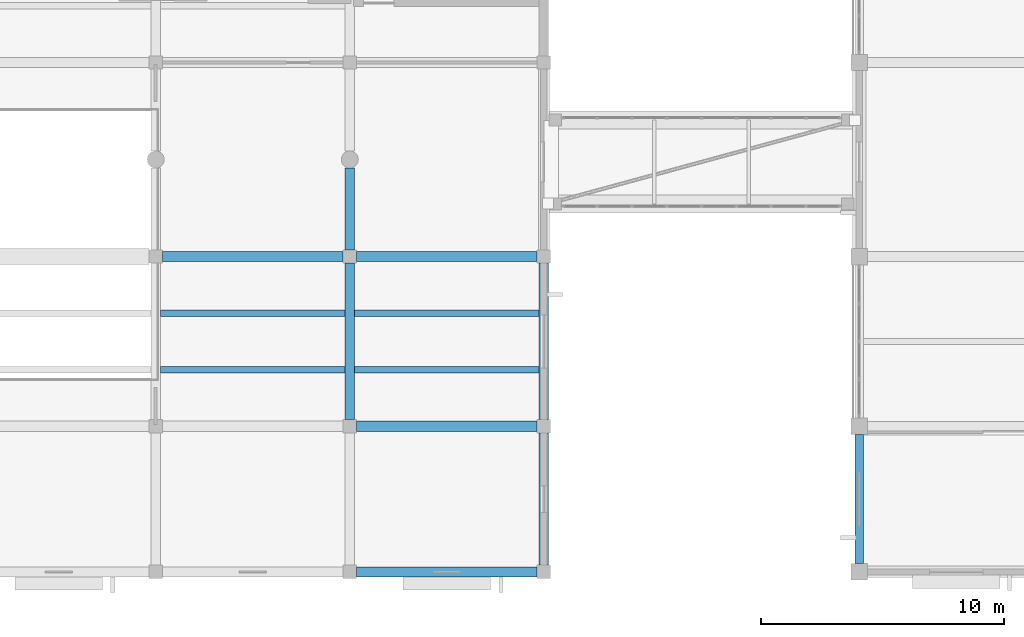
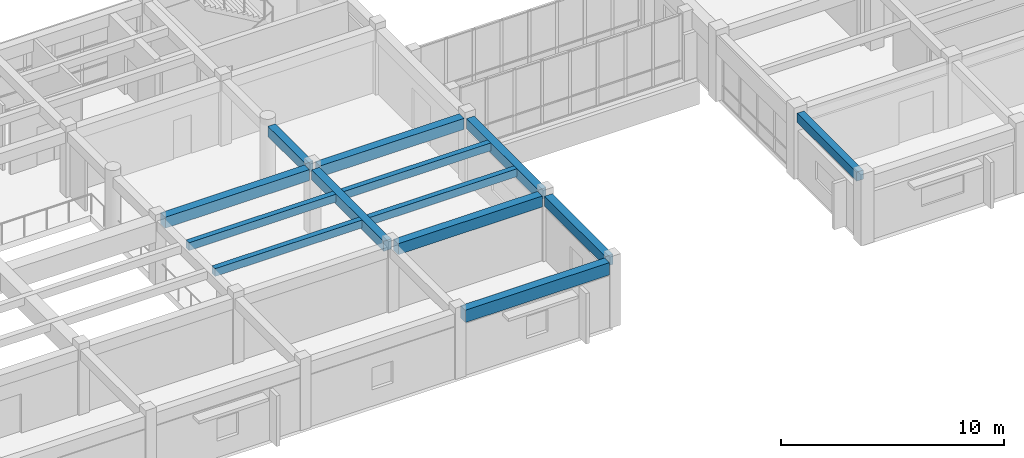
# One storey, part 19 of 66: 13 beams.
"""IFC4 building model written with IfcOpenShell, lengths in metres."""

from ifc_helpers import new_model, si_unit, direction, frame, origin, origin_2d, place, context, subcontext, project, spatial, rectangle, extrude, material, material_profile, profile_set, type_object, element, save


model = new_model("IFC4")

# Units and contexts
model_context = context("Model", 3, precision=1e-05, world=origin(), true_north=direction((0.0, 1.0)))
body_context = subcontext(model_context, "Body", "Model", "MODEL_VIEW")
ifc_project = project(units=[si_unit("LENGTHUNIT", "METRE"), si_unit("AREAUNIT", "SQUARE_METRE"), si_unit("VOLUMEUNIT", "CUBIC_METRE"), si_unit("PLANEANGLEUNIT", "RADIAN"), si_unit("MASSUNIT", "GRAM", prefix="KILO")], contexts=[model_context])

# Site, building, storey
site_placement = place(None, origin())
site = spatial("IfcSite", under=ifc_project, at=site_placement, CompositionType="ELEMENT")
building_placement = place(site_placement, origin())
building = spatial("IfcBuilding", under=site, at=building_placement, Name="Naurynzar Civic Courthouse", CompositionType="ELEMENT")
storey_placement = place(building_placement, frame((0.0, 0.0, 14.39990234375)))
storey = spatial("IfcBuildingStorey", under=building, at=storey_placement, Name="L04", CompositionType="ELEMENT", Elevation=14.39990234375)

# Beams
ifc_material_1 = material(Name="Concrete C40/50", Category="concrete")
ifc_material_profile_1 = material_profile(ifc_material_1, rectangle(XDim=0.27490234375, YDim=0.425048828125, at=origin_2d()), Name="RCB 275x425")
ifc_profile_set_1 = profile_set([ifc_material_profile_1], Name="Concrete C40/50")
beam_type_1 = type_object("IfcBeamType", Name="BM-JST-275x425", PredefinedType="JOIST", material=ifc_profile_set_1)
for number, where, z_axis, x_axis, name in (
    (1, (101.199951171875, 12.333251953125, 3.34765625), (1.0, 0.0, 0.0), (0.0, 1.0, 0.0), "V3 secondary rib 1556 L04"),
    (2, (101.199951171875, 14.666748046875, 3.34765625), (1.0, 0.0, 0.0), (0.0, 1.0, 0.0), "V3 secondary rib 1557 L04"),
    (3, (109.199951171875, 12.333251953125, 3.34765625), (1.0, 0.0, 0.0), (0.0, 1.0, 0.0), "V3 secondary rib 1558 L04"),
    (4, (109.199951171875, 14.666748046875, 3.34765625), (1.0, 0.0, 0.0), (0.0, 1.0, 0.0), "V3 secondary rib 1559 L04"),
):
    element("IfcBeam", number, at=place(storey_placement, frame(where, z_axis=z_axis, x_axis=x_axis)), inside=storey, type_object=beam_type_1, Name=name, PredefinedType="JOIST", context=body_context, shape_type="SweptSolid", body=[
        extrude(rectangle(XDim=0.27490234375, YDim=0.425048828125, at=origin_2d()), origin(), (0.0, 0.0, 1.0), 7.60009765625),
    ])
ifc_material_2 = material(Name="Concrete C40/50", Category="concrete")
ifc_material_profile_2 = material_profile(ifc_material_2, rectangle(XDim=0.35009765625, YDim=0.5, at=origin_2d()), Name="RCB 350x500")
ifc_profile_set_2 = profile_set([ifc_material_profile_2], Name="Concrete C40/50")
beam_type_2 = type_object("IfcBeamType", Name="BM-RC-350x500", PredefinedType="BEAM", material=ifc_profile_set_2)
beam_1_placement = place(storey_placement, frame((130.0, 4.33740234375, 3.330078125), z_axis=(0.0, 1.0, 0.0), x_axis=(-1.0, 0.0, 0.0)))
element("IfcBeam", 5, at=beam_1_placement, inside=storey, type_object=beam_type_2, Name="V5 girder Y-2549 L04", PredefinedType="BEAM", context=body_context, shape_type="SweptSolid", body=[
    extrude(rectangle(XDim=0.35009765625, YDim=0.5, at=origin_2d()), origin(), (0.0, 0.0, 1.0), 5.3251953125),
])
ifc_material_3 = material(Name="Concrete C40/50", Category="concrete")
ifc_material_profile_3 = material_profile(ifc_material_3, rectangle(XDim=0.39990234375, YDim=0.550048828125, at=origin_2d()), Name="RCB 400x550")
ifc_profile_set_3 = profile_set([ifc_material_profile_3], Name="Concrete C40/50")
beam_type_3 = type_object("IfcBeamType", Name="BM-RC-400x550", PredefinedType="BEAM", material=ifc_profile_set_3)
beam_2_placement = place(storey_placement, frame((109.0, 10.27490234375, 3.28515625), z_axis=(0.0, 1.0, 0.0), x_axis=(-1.0, 0.0, 0.0)))
element("IfcBeam", 6, at=beam_2_placement, inside=storey, type_object=beam_type_3, Name="V3 girder Y-1542 L04", PredefinedType="BEAM", context=body_context, shape_type="SweptSolid", body=[
    extrude(rectangle(XDim=0.39990234375, YDim=0.550048828125, at=origin_2d()), origin(), (0.0, 0.0, 1.0), 6.4501953125),
])
beam_3_placement = place(storey_placement, frame((109.0, 17.27490234375, 3.28515625), z_axis=(0.0, 1.0, 0.0), x_axis=(-1.0, 0.0, 0.0)))
element("IfcBeam", 7, at=beam_3_placement, inside=storey, type_object=beam_type_3, Name="V3 girder Y-1543 L04", PredefinedType="BEAM", context=body_context, shape_type="SweptSolid", body=[
    extrude(rectangle(XDim=0.39990234375, YDim=0.550048828125, at=origin_2d()), origin(), (0.0, 0.0, 1.0), 3.375),
])
beam_4_placement = place(storey_placement, frame((117.0, 4.27490234375, 3.28515625), z_axis=(0.0, 1.0, 0.0), x_axis=(-1.0, 0.0, 0.0)))
element("IfcBeam", 8, at=beam_4_placement, inside=storey, type_object=beam_type_3, Name="V3 girder Y-1546 L04", PredefinedType="BEAM", context=body_context, shape_type="SweptSolid", body=[
    extrude(rectangle(XDim=0.39990234375, YDim=0.550048828125, at=origin_2d()), origin(), (0.0, 0.0, 1.0), 5.4501953125),
])
beam_5_placement = place(storey_placement, frame((117.0, 10.27490234375, 3.28515625), z_axis=(0.0, 1.0, 0.0), x_axis=(-1.0, 0.0, 0.0)))
element("IfcBeam", 9, at=beam_5_placement, inside=storey, type_object=beam_type_3, Name="V3 girder Y-1547 L04", PredefinedType="BEAM", context=body_context, shape_type="SweptSolid", body=[
    extrude(rectangle(XDim=0.39990234375, YDim=0.550048828125, at=origin_2d()), origin(), (0.0, 0.0, 1.0), 6.4501953125),
])
ifc_material_4 = material(Name="Concrete C40/50", Category="concrete")
ifc_material_profile_4 = material_profile(ifc_material_4, rectangle(XDim=0.425048828125, YDim=0.60009765625, at=origin_2d()), Name="RCB 425x600")
ifc_profile_set_4 = profile_set([ifc_material_profile_4], Name="Concrete C40/50")
beam_type_4 = type_object("IfcBeamType", Name="BM-RC-425x600", PredefinedType="BEAM", material=ifc_profile_set_4)
for number, where, z_axis, x_axis, name in (
    (10, (109.27490234375, 10.0, 3.260009765625), (1.0, 0.0, 0.0), (0.0, 1.0, 0.0), "V3 beam X-1501 L04"),
    (11, (101.27490234375, 17.0, 3.260009765625), (1.0, 0.0, 0.0), (0.0, 1.0, 0.0), "V3 beam X-1505 L04"),
    (12, (109.27490234375, 17.0, 3.260009765625), (1.0, 0.0, 0.0), (0.0, 1.0, 0.0), "V3 beam X-1506 L04"),
):
    element("IfcBeam", number, at=place(storey_placement, frame(where, z_axis=z_axis, x_axis=x_axis)), inside=storey, type_object=beam_type_4, Name=name, PredefinedType="BEAM", context=body_context, shape_type="SweptSolid", body=[
        extrude(rectangle(XDim=0.425048828125, YDim=0.60009765625, at=origin_2d()), origin(), (0.0, 0.0, 1.0), 7.4501953125),
    ])
ifc_material_5 = material(Name="Concrete C40/50", Category="concrete")
ifc_material_profile_5 = material_profile(ifc_material_5, rectangle(XDim=0.425048828125, YDim=0.675048828125, at=origin_2d()), Name="RCB 425x675")
ifc_profile_set_5 = profile_set([ifc_material_profile_5], Name="Concrete C40/50")
beam_type_5 = type_object("IfcBeamType", Name="BM-RC-425x675", PredefinedType="SPANDREL", material=ifc_profile_set_5)
beam_6_placement = place(storey_placement, frame((109.27490234375, 4.0, 3.22265625), z_axis=(1.0, 0.0, 0.0), x_axis=(0.0, 1.0, 0.0)))
element("IfcBeam", 13, at=beam_6_placement, inside=storey, type_object=beam_type_5, Name="V3 beam X-1495 L04", PredefinedType="SPANDREL", context=body_context, shape_type="SweptSolid", body=[
    extrude(rectangle(XDim=0.425048828125, YDim=0.675048828125, at=origin_2d()), origin(), (0.0, 0.0, 1.0), 7.4501953125),
])

save(model, "model.ifc")
